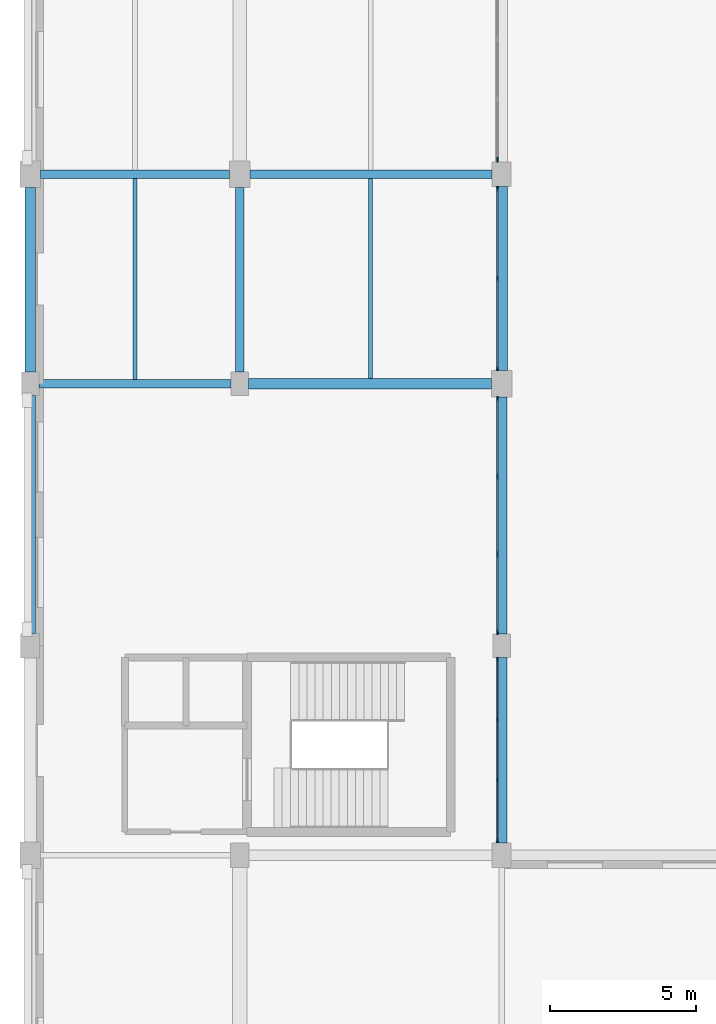
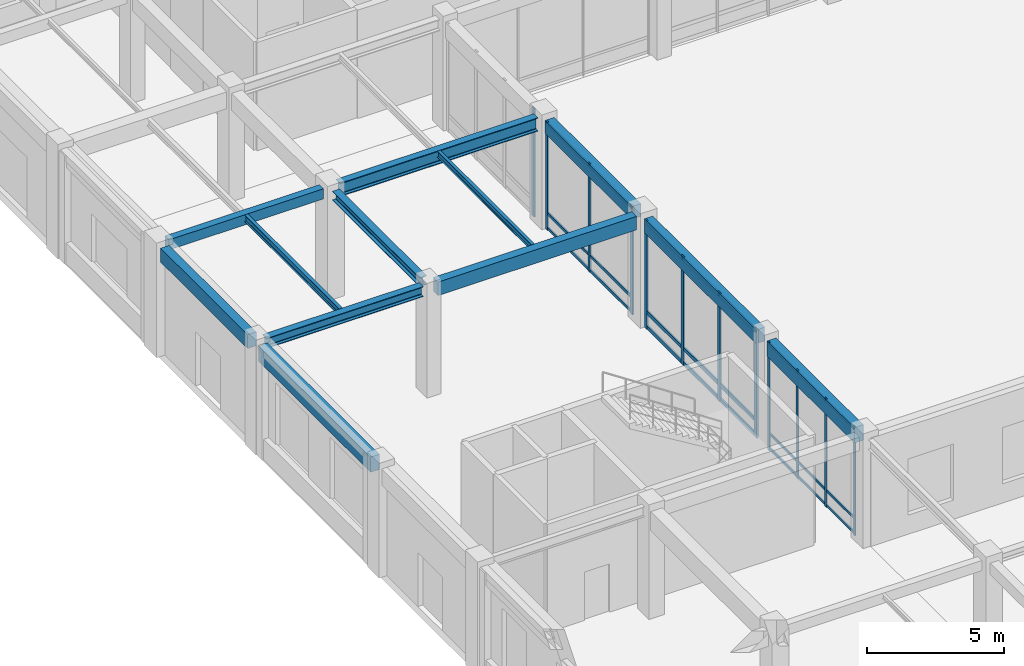
# One storey, part 23 of 64: 36 members, 12 beams, 4 elements without a shape of their own.
"""IFC4 building model written with IfcOpenShell, lengths in metres."""

import ifcopenshell
import ifcopenshell.guid

model = None  # the IFC model being written
_history = None  # IfcOwnerHistory: only IFC2X3 demands one
_inside = {}  # id of a spatial element -> (the spatial element, [elements in it])
_under = {}  # id of a project, library or spatial element -> (it, [spatial elements below it])
_declared = {}  # id of a project -> (the project, [libraries it declares])
_typed = {}  # id of a type object -> (the type object, [elements of that type])
_made_of = {}  # id of a material, layer set ... -> (it, [elements and type objects made of it])


def new_model(schema):
    """Start an empty IFC model of exactly this schema.

    Asked for "IFC4X3", IfcOpenShell would pick the latest addendum, in which some entities
    have other attributes; the version numbers below select the first issue.
    IFC2X3 requires an IfcOwnerHistory on every rooted entity: one is made here for all.
    """
    global model, _history
    if schema == "IFC4X3":
        model = ifcopenshell.file(schema_version=(4, 3, 0, 0))
    else:
        model = ifcopenshell.file(schema=schema)
    _inside.clear()
    _under.clear()
    _declared.clear()
    _typed.clear()
    _made_of.clear()
    _history = None
    if model.schema == "IFC2X3":
        org = make("IfcOrganization", Name="unknown")
        user = make(
            "IfcPersonAndOrganization",
            ThePerson=make("IfcPerson", FamilyName="unknown"),
            TheOrganization=org,
        )
        app = make(
            "IfcApplication",
            ApplicationDeveloper=org,
            Version="unknown",
            ApplicationFullName="unknown",
            ApplicationIdentifier="unknown",
        )
        _history = make(
            "IfcOwnerHistory",
            OwningUser=user,
            OwningApplication=app,
            ChangeAction="ADDED",
            CreationDate=0,
        )
    return model


def make(cls, **values):
    """One entity of the class cls with the attributes given. An attribute that is None is left unset."""
    return model.create_entity(
        cls, **{name: value for name, value in values.items() if value is not None}
    )


def rooted(cls, **values):
    """An entity with a GlobalId (a new one), such as an element, a storey or a relation."""
    return make(cls, GlobalId=ifcopenshell.guid.new(), OwnerHistory=_history, **values)


def si_unit(unit_type, name, prefix=None):
    """IfcSIUnit, for example si_unit("LENGTHUNIT", "METRE", prefix="MILLI")."""
    return make("IfcSIUnit", UnitType=unit_type, Prefix=prefix, Name=name)


def assignment(units):
    """IfcUnitAssignment: the units of a project."""
    return None if units is None else make("IfcUnitAssignment", Units=units)


def point(xyz):
    """IfcCartesianPoint."""
    return None if xyz is None else make("IfcCartesianPoint", Coordinates=xyz)


def direction(xyz):
    """IfcDirection."""
    return None if xyz is None else make("IfcDirection", DirectionRatios=xyz)


def frame(location, z_axis=None, x_axis=None):
    """IfcAxis2Placement3D, a coordinate frame: its origin and axes. An axis left out is left unset."""
    return make(
        "IfcAxis2Placement3D",
        Location=point(location),
        Axis=direction(z_axis),
        RefDirection=direction(x_axis),
    )


def frame_2d(location, x_axis=None):
    """IfcAxis2Placement2D, a coordinate frame in the plane: its origin and x axis."""
    return make(
        "IfcAxis2Placement2D", Location=point(location), RefDirection=direction(x_axis)
    )


def origin():
    """The frame at (0, 0, 0) with its axes left unset."""
    return frame((0.0, 0.0, 0.0))


def origin_2d():
    """The frame at (0, 0) in the plane with its x axis left unset."""
    return frame_2d((0.0, 0.0))


def place(relative_to, where):
    """IfcLocalPlacement: puts the frame where relative to a parent placement (None: the world)."""
    return make(
        "IfcLocalPlacement", PlacementRelTo=relative_to, RelativePlacement=where
    )


def context(
    kind, dimensions, precision=None, world=None, true_north=None, identifier=None
):
    """IfcGeometricRepresentationContext, for example the 3D "Model" context."""
    return make(
        "IfcGeometricRepresentationContext",
        ContextIdentifier=identifier,
        ContextType=kind,
        CoordinateSpaceDimension=dimensions,
        Precision=precision,
        WorldCoordinateSystem=world,
        TrueNorth=true_north,
    )


def subcontext(parent, identifier, kind, view, scale=None):
    """IfcGeometricRepresentationSubContext, for example "Body" below "Model"."""
    return make(
        "IfcGeometricRepresentationSubContext",
        ContextIdentifier=identifier,
        ContextType=kind,
        ParentContext=parent,
        TargetScale=scale,
        TargetView=view,
    )


def project(units=None, contexts=None):
    """IfcProject with its units and contexts."""
    return rooted(
        "IfcProject",
        Name="project",
        RepresentationContexts=contexts,
        UnitsInContext=assignment(units),
    )


def spatial(cls, under=None, at=None, **own):
    """A site, building, storey or space (cls), placed at a placement, below another one or the project."""
    s = rooted(cls, ObjectPlacement=at, **own)
    if under is not None:
        _under.setdefault(under.id(), (under, []))[1].append(s)
    return s


def profile(cls, at=None, kind="AREA", **sizes):
    """A parametric profile (cls). Its sizes go by their IFC names, for example OverallWidth=200.0."""
    return make(cls, ProfileType=kind, Position=at, **sizes)


def rectangle(**sizes):
    """IfcRectangleProfileDef."""
    return profile("IfcRectangleProfileDef", **sizes)


def i_section(**sizes):
    """IfcIShapeProfileDef."""
    return profile("IfcIShapeProfileDef", **sizes)


def extrude(swept, where, along, depth):
    """IfcExtrudedAreaSolid: the profile swept, set in the frame where, extruded along a direction by depth."""
    return make(
        "IfcExtrudedAreaSolid",
        SweptArea=swept,
        Position=where,
        ExtrudedDirection=direction(along),
        Depth=depth,
    )


def shape(context_of_items, identifier, shape_type, items):
    """IfcShapeRepresentation: the items that make up one representation, for example the "Body"."""
    return make(
        "IfcShapeRepresentation",
        ContextOfItems=context_of_items,
        RepresentationIdentifier=identifier,
        RepresentationType=shape_type,
        Items=items,
    )


def material(Name=None, Category=None):
    """IfcMaterial."""
    return make("IfcMaterial", Name=Name, Category=Category)


def material_profile(
    of_material, cross_section, Name=None, Category=None, Priority=None
):
    """IfcMaterialProfile: a cross section and its material."""
    return make(
        "IfcMaterialProfile",
        Name=Name,
        Material=of_material,
        Profile=cross_section,
        Priority=Priority,
        Category=Category,
    )


def profile_set(profiles, Name=None, composite=None):
    """IfcMaterialProfileSet."""
    return make(
        "IfcMaterialProfileSet",
        Name=Name,
        MaterialProfiles=profiles,
        CompositeProfile=composite,
    )


def made_of(thing, what):
    """Note that an element or type object is made of a material, layer set ...; save() writes the relation."""
    if what is not None:
        _made_of.setdefault(what.id(), (what, []))[1].append(thing)
    return thing


def type_object(cls, material=None, **own):
    """A type object (cls), such as IfcWallType, which elements share."""
    return made_of(rooted(cls, **own), material)


def element(
    cls,
    number,
    at=None,
    inside=None,
    cuts=None,
    type_object=None,
    material=None,
    context=None,
    identifier="Body",
    shape_type=None,
    held_by="IfcProductDefinitionShape",
    body=None,
    shapes=None,
    **own,
):
    """One element of the class cls, such as IfcWall. Its Tag is "e" and its number.

    at: its placement. inside: the storey or other place that contains it. cuts: it is an
    opening in that element (IfcRelVoidsElement). A single representation is given by context,
    identifier, shape_type and body (its items); several are given by shapes. held_by: the class
    of the entity that holds the representations. save() writes the other relations.
    """
    e = rooted(cls, Tag="e%d" % number, ObjectPlacement=at, **own)
    if body is not None:
        shapes = [shape(context, identifier, shape_type, body)]
    if shapes is not None:
        e.Representation = make(held_by, Representations=shapes)
    if inside is not None:
        _inside.setdefault(inside.id(), (inside, []))[1].append(e)
    if cuts is not None:
        rooted(
            "IfcRelVoidsElement", RelatingBuildingElement=cuts, RelatedOpeningElement=e
        )
    if type_object is not None:
        _typed.setdefault(type_object.id(), (type_object, []))[1].append(e)
    return made_of(e, material)


def aggregate(whole, parts):
    """IfcRelAggregates: a whole, such as a stair, and the parts it consists of."""
    return rooted("IfcRelAggregates", RelatingObject=whole, RelatedObjects=parts)


def save(model, path):
    """Write the relations noted so far, then the file.

    IfcRelAggregates (storeys below a building ...), IfcRelContainedInSpatialStructure (elements
    in a storey), IfcRelDefinesByType, IfcRelAssociatesMaterial and IfcRelDeclares: one each for
    every whole, place, type object, material and project.
    """
    for whole, parts in _under.values():
        aggregate(whole, parts)
    for where, things in _inside.values():
        rooted(
            "IfcRelContainedInSpatialStructure",
            RelatedElements=things,
            RelatingStructure=where,
        )
    for kind, things in _typed.values():
        rooted("IfcRelDefinesByType", RelatedObjects=things, RelatingType=kind)
    for what, things in _made_of.values():
        rooted("IfcRelAssociatesMaterial", RelatedObjects=things, RelatingMaterial=what)
    for by, libraries in _declared.values():
        rooted("IfcRelDeclares", RelatingContext=by, RelatedDefinitions=libraries)
    model.write(path)


model = new_model("IFC4")

# Units and contexts
model_context = context("Model", 3, precision=1e-05, world=origin(), true_north=direction((0.0, 1.0)))
body_context = subcontext(model_context, "Body", "Model", "MODEL_VIEW")
ifc_project = project(units=[si_unit("LENGTHUNIT", "METRE"), si_unit("AREAUNIT", "SQUARE_METRE"), si_unit("VOLUMEUNIT", "CUBIC_METRE"), si_unit("PLANEANGLEUNIT", "RADIAN"), si_unit("MASSUNIT", "GRAM", prefix="KILO")], contexts=[model_context])

# Site, building, storey
site_placement = place(None, origin())
site = spatial("IfcSite", under=ifc_project, at=site_placement, CompositionType="ELEMENT")
building_placement = place(site_placement, origin())
building = spatial("IfcBuilding", under=site, at=building_placement, Name="Clarverna Civic Hall", CompositionType="ELEMENT")
storey_placement = place(building_placement, origin())
storey = spatial("IfcBuildingStorey", under=building, at=storey_placement, Name="L00", CompositionType="ELEMENT", Elevation=0.0)

# Beams
ifc_material_1 = material(Name="Concrete C35/45", Category="concrete")
ifc_material_profile_1 = material_profile(ifc_material_1, rectangle(XDim=0.300048828125, YDim=0.449951171875, at=origin_2d()), Name="RC 300x450")
ifc_profile_set_1 = profile_set([ifc_material_profile_1], Name="Concrete C35/45")
beam_type_1 = type_object("IfcBeamType", Name="B-RC18", PredefinedType="BEAM", material=ifc_profile_set_1)
beam_1_placement = place(storey_placement, frame((0.35009765625, 95.0, 4.594970703125), z_axis=(1.0, 0.0, 0.0), x_axis=(0.0, 1.0, 0.0)))
element("IfcBeam", 1, at=beam_1_placement, inside=storey, type_object=beam_type_1, Name="B-RC18-017", PredefinedType="BEAM", context=body_context, shape_type="SweptSolid", body=[
    extrude(rectangle(XDim=0.300048828125, YDim=0.449951171875, at=origin_2d()), origin(), (0.0, 0.0, 1.0), 6.5),
])
ifc_material_profile_2 = material_profile(ifc_material_1, rectangle(XDim=0.35009765625, YDim=0.60009765625, at=origin_2d()), Name="RC 350x600")
ifc_profile_set_2 = profile_set([ifc_material_profile_2], Name="Concrete C35/45")
beam_type_2 = type_object("IfcBeamType", Name="B-RC8", PredefinedType="BEAM", material=ifc_profile_set_2)
beam_2_placement = place(storey_placement, frame((7.5, 87.800048828125, 4.52001953125), z_axis=(1.0, 0.0, 0.0), x_axis=(0.0, 1.0, 0.0)))
element("IfcBeam", 2, at=beam_2_placement, inside=storey, type_object=beam_type_2, Name="B-RC8-018", PredefinedType="BEAM", context=body_context, shape_type="SweptSolid", body=[
    extrude(rectangle(XDim=0.35009765625, YDim=0.60009765625, at=origin_2d()), origin(), (0.0, 0.0, 1.0), 8.35009765625),
])
ifc_material_profile_3 = material_profile(ifc_material_1, rectangle(XDim=0.3798828125, YDim=0.679931640625, at=origin_2d()), Name="RC 380x680")
ifc_profile_set_3 = profile_set([ifc_material_profile_3], Name="Concrete C35/45")
beam_type_3 = type_object("IfcBeamType", Name="B-SP2", PredefinedType="SPANDREL", material=ifc_profile_set_3)
beam_3_placement = place(storey_placement, frame((0.0, 79.22509765625, 4.47998046875), z_axis=(0.0, 1.0, 0.0), x_axis=(-1.0, 0.0, 0.0)))
element("IfcBeam", 3, at=beam_3_placement, inside=storey, type_object=beam_type_3, Name="B-SP2-044", PredefinedType="SPANDREL", context=body_context, shape_type="SweptSolid", body=[
    extrude(rectangle(XDim=0.3798828125, YDim=0.679931640625, at=origin_2d()), origin(), (0.0, 0.0, 1.0), 8.1748046875),
])
beam_4_placement = place(storey_placement, frame((16.199951171875, 72.02490234375, 4.47998046875), z_axis=(0.0, 1.0, 0.0), x_axis=(-1.0, 0.0, 0.0)))
element("IfcBeam", 4, at=beam_4_placement, inside=storey, type_object=beam_type_3, Name="B-SP2-046", PredefinedType="SPANDREL", context=body_context, shape_type="SweptSolid", body=[
    extrude(rectangle(XDim=0.3798828125, YDim=0.679931640625, at=origin_2d()), origin(), (0.0, 0.0, 1.0), 6.375),
])
ifc_material_profile_4 = material_profile(ifc_material_1, rectangle(XDim=0.360107421875, YDim=0.6201171875, at=origin_2d()), Name="RC 360x620")
ifc_profile_set_4 = profile_set([ifc_material_profile_4], Name="Concrete C35/45")
beam_type_4 = type_object("IfcBeamType", Name="B-SP3", PredefinedType="SPANDREL", material=ifc_profile_set_4)
beam_5_placement = place(storey_placement, frame((0.0, 88.199951171875, 4.510009765625), z_axis=(0.0, 1.0, 0.0), x_axis=(-1.0, 0.0, 0.0)))
element("IfcBeam", 5, at=beam_5_placement, inside=storey, type_object=beam_type_4, Name="B-SP3-046", PredefinedType="SPANDREL", context=body_context, shape_type="SweptSolid", body=[
    extrude(rectangle(XDim=0.360107421875, YDim=0.6201171875, at=origin_2d()), origin(), (0.0, 0.0, 1.0), 6.35009765625),
])
beam_6_placement = place(storey_placement, frame((16.199951171875, 79.199951171875, 4.510009765625), z_axis=(0.0, 1.0, 0.0), x_axis=(-1.0, 0.0, 0.0)))
element("IfcBeam", 6, at=beam_6_placement, inside=storey, type_object=beam_type_4, Name="B-SP3-047", PredefinedType="SPANDREL", context=body_context, shape_type="SweptSolid", body=[
    extrude(rectangle(XDim=0.360107421875, YDim=0.6201171875, at=origin_2d()), origin(), (0.0, 0.0, 1.0), 8.150146484375),
])
ifc_material_profile_5 = material_profile(ifc_material_1, rectangle(XDim=0.39990234375, YDim=0.56005859375, at=origin_2d()), Name="RC 400x560")
ifc_profile_set_5 = profile_set([ifc_material_profile_5], Name="Concrete C35/45")
beam_type_5 = type_object("IfcBeamType", Name="B-SP4", PredefinedType="SPANDREL", material=ifc_profile_set_5)
beam_7_placement = place(storey_placement, frame((16.199951171875, 88.25, 4.5400390625), z_axis=(0.0, 1.0, 0.0), x_axis=(-1.0, 0.0, 0.0)))
element("IfcBeam", 7, at=beam_7_placement, inside=storey, type_object=beam_type_5, Name="B-SP4-044", PredefinedType="SPANDREL", context=body_context, shape_type="SweptSolid", body=[
    extrude(rectangle(XDim=0.39990234375, YDim=0.56005859375, at=origin_2d()), origin(), (0.0, 0.0, 1.0), 6.324951171875),
])
ifc_material_2 = material(Name="Steel S355", Category="steel")
ifc_material_profile_6 = material_profile(ifc_material_2, i_section(OverallWidth=0.300048828125, OverallDepth=0.60009765625, WebThickness=0.015380859375, FlangeThickness=0.030029296875, FilletRadius=0.027099609375, at=origin_2d()), Name="HEB 600")
ifc_profile_set_6 = profile_set([ifc_material_profile_6], Name="Steel S355")
beam_type_6 = type_object("IfcBeamType", Name="B-ST1", PredefinedType="BEAM", material=ifc_profile_set_6)
beam_8_placement = place(storey_placement, frame((7.550048828125, 95.0, 4.52001953125), z_axis=(1.0, 0.0, 0.0), x_axis=(0.0, 1.0, 0.0)))
element("IfcBeam", 8, at=beam_8_placement, inside=storey, type_object=beam_type_6, Name="B-ST1-002", PredefinedType="BEAM", context=body_context, shape_type="SweptSolid", body=[
    extrude(i_section(OverallWidth=0.300048828125, OverallDepth=0.60009765625, WebThickness=0.015380859375, FlangeThickness=0.030029296875, FilletRadius=0.027099609375, at=origin_2d()), origin(), (0.0, 0.0, 1.0), 8.324951171875),
])
ifc_material_profile_7 = material_profile(ifc_material_2, i_section(OverallWidth=0.300048828125, OverallDepth=0.449951171875, WebThickness=0.013916015625, FlangeThickness=0.02587890625, FilletRadius=0.027099609375, at=origin_2d()), Name="HEB 450")
ifc_profile_set_7 = profile_set([ifc_material_profile_7], Name="Steel S355")
beam_type_7 = type_object("IfcBeamType", Name="B-ST3", PredefinedType="BEAM", material=ifc_profile_set_7)
beam_9_placement = place(storey_placement, frame((0.300048828125, 87.800048828125, 4.594970703125), z_axis=(1.0, 0.0, 0.0), x_axis=(0.0, 1.0, 0.0)))
element("IfcBeam", 9, at=beam_9_placement, inside=storey, type_object=beam_type_7, Name="B-ST3-002", PredefinedType="BEAM", context=body_context, shape_type="SweptSolid", body=[
    extrude(i_section(OverallWidth=0.300048828125, OverallDepth=0.449951171875, WebThickness=0.013916015625, FlangeThickness=0.02587890625, FilletRadius=0.027099609375, at=origin_2d()), origin(), (0.0, 0.0, 1.0), 6.599853515625),
])
ifc_material_profile_8 = material_profile(ifc_material_2, i_section(OverallWidth=0.300048828125, OverallDepth=0.39990234375, WebThickness=0.013427734375, FlangeThickness=0.02392578125, FilletRadius=0.027099609375, at=origin_2d()), Name="HEB 400")
ifc_profile_set_8 = profile_set([ifc_material_profile_8], Name="Steel S355")
beam_type_8 = type_object("IfcBeamType", Name="B-ST4", PredefinedType="BEAM", material=ifc_profile_set_8)
beam_10_placement = place(storey_placement, frame((7.199951171875, 88.199951171875, 4.6201171875), z_axis=(0.0, 1.0, 0.0), x_axis=(-1.0, 0.0, 0.0)))
element("IfcBeam", 10, at=beam_10_placement, inside=storey, type_object=beam_type_8, Name="B-ST4-002", PredefinedType="BEAM", context=body_context, shape_type="SweptSolid", body=[
    extrude(i_section(OverallWidth=0.300048828125, OverallDepth=0.39990234375, WebThickness=0.013427734375, FlangeThickness=0.02392578125, FilletRadius=0.027099609375, at=origin_2d()), origin(), (0.0, 0.0, 1.0), 6.35009765625),
])

# Curtain wall, member
ifc_material_3 = material(Name="Anodised Bronze Architectural Aluminium", Category="aluminium")
curtain_wall_type = type_object("IfcCurtainWallType", Name="CW-04", PredefinedType="USERDEFINED", material=ifc_material_3)
curtain_wall_1_placement = place(storey_placement, origin())
curtain_wall_1 = element("IfcCurtainWall", 11, at=curtain_wall_1_placement, inside=storey, type_object=curtain_wall_type, Name="CW-04-006", ObjectType="UNITISED CURTAIN WALL", PredefinedType="USERDEFINED")
ifc_material_profile_9 = material_profile(ifc_material_3, rectangle(XDim=0.06005859375, YDim=0.179931640625, at=origin_2d()), Name="BRONZE 60x180")
ifc_profile_set_9 = profile_set([ifc_material_profile_9], Name="Anodised Bronze Architectural Aluminium")
member_type_1 = type_object("IfcMemberType", Name="CWM-01", PredefinedType="MULLION", material=ifc_profile_set_9)
member_1_placement = place(storey_placement, frame((16.06005859375, 95.498046875, 0.0), z_axis=(0.0, 0.0, 1.0), x_axis=(1.0, 0.0, 0.0)))
member_1 = element("IfcMember", 12, at=member_1_placement, type_object=member_type_1, Name="CWM-01-029", PredefinedType="MULLION", context=body_context, shape_type="SweptSolid", body=[
    extrude(rectangle(XDim=0.06005859375, YDim=0.179931640625, at=origin_2d()), origin(), (0.0, 0.0, 1.0), 4.820068359375),
])
aggregate(curtain_wall_1, [member_1])

# Curtain wall, members
curtain_wall_2_placement = place(storey_placement, origin())
curtain_wall_2 = element("IfcCurtainWall", 13, at=curtain_wall_2_placement, inside=storey, type_object=curtain_wall_type, Name="CW-04-007", ObjectType="UNITISED CURTAIN WALL", PredefinedType="USERDEFINED")
ifc_material_profile_10 = material_profile(ifc_material_3, rectangle(XDim=0.06005859375, YDim=0.159912109375, at=origin_2d()), Name="BRONZE 60x160")
ifc_profile_set_10 = profile_set([ifc_material_profile_10], Name="Anodised Bronze Architectural Aluminium")
member_type_2 = type_object("IfcMemberType", Name="CWM-02", PredefinedType="MULLION", material=ifc_profile_set_10)
member_2_placement = place(storey_placement, frame((16.06005859375, 94.501953125, 0.0), z_axis=(0.0, 0.0, 1.0), x_axis=(1.0, 0.0, 0.0)))
member_2 = element("IfcMember", 14, at=member_2_placement, type_object=member_type_2, Name="CWM-02-026", PredefinedType="MULLION", context=body_context, shape_type="SweptSolid", body=[
    extrude(rectangle(XDim=0.06005859375, YDim=0.159912109375, at=origin_2d()), origin(), (0.0, 0.0, 1.0), 4.820068359375),
])
member_3_placement = place(storey_placement, frame((16.06005859375, 91.41259765625, 0.0), z_axis=(0.0, 0.0, 1.0), x_axis=(1.0, 0.0, 0.0)))
member_3 = element("IfcMember", 15, at=member_3_placement, type_object=member_type_2, Name="CWM-02-027", PredefinedType="MULLION", context=body_context, shape_type="SweptSolid", body=[
    extrude(rectangle(XDim=0.06005859375, YDim=0.159912109375, at=origin_2d()), origin(), (0.0, 0.0, 1.0), 4.820068359375),
])
member_4_placement = place(storey_placement, frame((16.06005859375, 88.322998046875, 0.0), z_axis=(0.0, 0.0, 1.0), x_axis=(1.0, 0.0, 0.0)))
member_4 = element("IfcMember", 16, at=member_4_placement, type_object=member_type_2, Name="CWM-02-028", PredefinedType="MULLION", context=body_context, shape_type="SweptSolid", body=[
    extrude(rectangle(XDim=0.06005859375, YDim=0.159912109375, at=origin_2d()), origin(), (0.0, 0.0, 1.0), 4.820068359375),
])

curtain_wall_3_placement = place(storey_placement, origin())
curtain_wall_3 = element("IfcCurtainWall", 17, at=curtain_wall_3_placement, inside=storey, type_object=curtain_wall_type, Name="CW-04-008", ObjectType="UNITISED CURTAIN WALL", PredefinedType="USERDEFINED")
ifc_material_profile_11 = material_profile(ifc_material_3, rectangle(XDim=0.06494140625, YDim=0.199951171875, at=origin_2d()), Name="BRONZE 65x200")
ifc_profile_set_11 = profile_set([ifc_material_profile_11], Name="Anodised Bronze Architectural Aluminium")
member_type_3 = type_object("IfcMemberType", Name="CWM-03", PredefinedType="MULLION", material=ifc_profile_set_11)
member_5_placement = place(storey_placement, frame((16.06005859375, 87.277099609375, 0.0), z_axis=(0.0, 0.0, 1.0), x_axis=(1.0, 0.0, 0.0)))
member_5 = element("IfcMember", 18, at=member_5_placement, type_object=member_type_3, Name="CWM-03-026", PredefinedType="MULLION", context=body_context, shape_type="SweptSolid", body=[
    extrude(rectangle(XDim=0.06494140625, YDim=0.199951171875, at=origin_2d()), origin(), (0.0, 0.0, 1.0), 4.820068359375),
])
member_6_placement = place(storey_placement, frame((16.06005859375, 84.60888671875, 0.0), z_axis=(0.0, 0.0, 1.0), x_axis=(1.0, 0.0, 0.0)))
member_6 = element("IfcMember", 19, at=member_6_placement, type_object=member_type_3, Name="CWM-03-027", PredefinedType="MULLION", context=body_context, shape_type="SweptSolid", body=[
    extrude(rectangle(XDim=0.06494140625, YDim=0.199951171875, at=origin_2d()), origin(), (0.0, 0.0, 1.0), 4.820068359375),
])
member_7_placement = place(storey_placement, frame((16.06005859375, 81.94091796875, 0.0), z_axis=(0.0, 0.0, 1.0), x_axis=(1.0, 0.0, 0.0)))
member_7 = element("IfcMember", 20, at=member_7_placement, type_object=member_type_3, Name="CWM-03-028", PredefinedType="MULLION", context=body_context, shape_type="SweptSolid", body=[
    extrude(rectangle(XDim=0.06494140625, YDim=0.199951171875, at=origin_2d()), origin(), (0.0, 0.0, 1.0), 4.820068359375),
])
member_8_placement = place(storey_placement, frame((16.06005859375, 79.27294921875, 0.0), z_axis=(0.0, 0.0, 1.0), x_axis=(1.0, 0.0, 0.0)))
member_8 = element("IfcMember", 21, at=member_8_placement, type_object=member_type_3, Name="CWM-03-029", PredefinedType="MULLION", context=body_context, shape_type="SweptSolid", body=[
    extrude(rectangle(XDim=0.06494140625, YDim=0.199951171875, at=origin_2d()), origin(), (0.0, 0.0, 1.0), 4.820068359375),
])

curtain_wall_4_placement = place(storey_placement, origin())
curtain_wall_4 = element("IfcCurtainWall", 22, at=curtain_wall_4_placement, inside=storey, type_object=curtain_wall_type, Name="CW-04-009", ObjectType="UNITISED CURTAIN WALL", PredefinedType="USERDEFINED")
ifc_material_profile_12 = material_profile(ifc_material_3, rectangle(XDim=0.054931640625, YDim=0.139892578125, at=origin_2d()), Name="BRONZE 55x140")
ifc_profile_set_12 = profile_set([ifc_material_profile_12], Name="Anodised Bronze Architectural Aluminium")
member_type_4 = type_object("IfcMemberType", Name="CWM-04", PredefinedType="MULLION", material=ifc_profile_set_12)
member_9_placement = place(storey_placement, frame((16.06005859375, 78.326904296875, 0.0), z_axis=(0.0, 0.0, 1.0), x_axis=(1.0, 0.0, 0.0)))
member_9 = element("IfcMember", 23, at=member_9_placement, type_object=member_type_4, Name="CWM-04-027", PredefinedType="MULLION", context=body_context, shape_type="SweptSolid", body=[
    extrude(rectangle(XDim=0.054931640625, YDim=0.139892578125, at=origin_2d()), origin(), (0.0, 0.0, 1.0), 4.820068359375),
])
member_10_placement = place(storey_placement, frame((16.06005859375, 76.250732421875, 0.0), z_axis=(0.0, 0.0, 1.0), x_axis=(1.0, 0.0, 0.0)))
member_10 = element("IfcMember", 24, at=member_10_placement, type_object=member_type_4, Name="CWM-04-028", PredefinedType="MULLION", context=body_context, shape_type="SweptSolid", body=[
    extrude(rectangle(XDim=0.054931640625, YDim=0.139892578125, at=origin_2d()), origin(), (0.0, 0.0, 1.0), 4.820068359375),
])
member_11_placement = place(storey_placement, frame((16.06005859375, 74.17431640625, 0.0), z_axis=(0.0, 0.0, 1.0), x_axis=(1.0, 0.0, 0.0)))
member_11 = element("IfcMember", 25, at=member_11_placement, type_object=member_type_4, Name="CWM-04-029", PredefinedType="MULLION", context=body_context, shape_type="SweptSolid", body=[
    extrude(rectangle(XDim=0.054931640625, YDim=0.139892578125, at=origin_2d()), origin(), (0.0, 0.0, 1.0), 4.820068359375),
])
member_12_placement = place(storey_placement, frame((16.06005859375, 72.097900390625, 0.0), z_axis=(0.0, 0.0, 1.0), x_axis=(1.0, 0.0, 0.0)))
member_12 = element("IfcMember", 26, at=member_12_placement, type_object=member_type_4, Name="CWM-04-030", PredefinedType="MULLION", context=body_context, shape_type="SweptSolid", body=[
    extrude(rectangle(XDim=0.054931640625, YDim=0.139892578125, at=origin_2d()), origin(), (0.0, 0.0, 1.0), 4.820068359375),
])

# Member
ifc_material_profile_13 = material_profile(ifc_material_3, rectangle(XDim=0.06005859375, YDim=0.1298828125, at=origin_2d()), Name="BRONZE 60x130")
ifc_profile_set_13 = profile_set([ifc_material_profile_13], Name="Anodised Bronze Architectural Aluminium")
member_type_5 = type_object("IfcMemberType", Name="CWT-02", PredefinedType="USERDEFINED", material=ifc_profile_set_13)
member_13_placement = place(storey_placement, frame((16.06005859375, 94.487060546875, 0.094970703125), z_axis=(0.0, -1.0, 0.0), x_axis=(1.0, 0.0, 0.0)))
member_13 = element("IfcMember", 27, at=member_13_placement, type_object=member_type_5, Name="CWT-02-052", ObjectType="TRANSOM", PredefinedType="USERDEFINED", context=body_context, shape_type="SweptSolid", body=[
    extrude(rectangle(XDim=0.06005859375, YDim=0.1298828125, at=origin_2d()), origin(), (0.0, 0.0, 1.0), 3.0595703125),
])

member_14_placement = place(storey_placement, frame((16.06005859375, 94.487060546875, 0.75), z_axis=(0.0, -1.0, 0.0), x_axis=(1.0, 0.0, 0.0)))
member_14 = element("IfcMember", 28, at=member_14_placement, type_object=member_type_5, Name="CWT-02-053", ObjectType="TRANSOM", PredefinedType="USERDEFINED", context=body_context, shape_type="SweptSolid", body=[
    extrude(rectangle(XDim=0.06005859375, YDim=0.1298828125, at=origin_2d()), origin(), (0.0, 0.0, 1.0), 3.0595703125),
])

member_15_placement = place(storey_placement, frame((16.06005859375, 94.487060546875, 4.72509765625), z_axis=(0.0, -1.0, 0.0), x_axis=(1.0, 0.0, 0.0)))
member_15 = element("IfcMember", 29, at=member_15_placement, type_object=member_type_5, Name="CWT-02-054", ObjectType="TRANSOM", PredefinedType="USERDEFINED", context=body_context, shape_type="SweptSolid", body=[
    extrude(rectangle(XDim=0.06005859375, YDim=0.1298828125, at=origin_2d()), origin(), (0.0, 0.0, 1.0), 3.0595703125),
])

member_16_placement = place(storey_placement, frame((16.06005859375, 91.3974609375, 0.094970703125), z_axis=(0.0, -1.0, 0.0), x_axis=(1.0, 0.0, 0.0)))
member_16 = element("IfcMember", 30, at=member_16_placement, type_object=member_type_5, Name="CWT-02-055", ObjectType="TRANSOM", PredefinedType="USERDEFINED", context=body_context, shape_type="SweptSolid", body=[
    extrude(rectangle(XDim=0.06005859375, YDim=0.1298828125, at=origin_2d()), origin(), (0.0, 0.0, 1.0), 3.0595703125),
])

member_17_placement = place(storey_placement, frame((16.06005859375, 91.3974609375, 0.75), z_axis=(0.0, -1.0, 0.0), x_axis=(1.0, 0.0, 0.0)))
member_17 = element("IfcMember", 31, at=member_17_placement, type_object=member_type_5, Name="CWT-02-056", ObjectType="TRANSOM", PredefinedType="USERDEFINED", context=body_context, shape_type="SweptSolid", body=[
    extrude(rectangle(XDim=0.06005859375, YDim=0.1298828125, at=origin_2d()), origin(), (0.0, 0.0, 1.0), 3.0595703125),
])

member_18_placement = place(storey_placement, frame((16.06005859375, 91.3974609375, 4.72509765625), z_axis=(0.0, -1.0, 0.0), x_axis=(1.0, 0.0, 0.0)))
member_18 = element("IfcMember", 32, at=member_18_placement, type_object=member_type_5, Name="CWT-02-057", ObjectType="TRANSOM", PredefinedType="USERDEFINED", context=body_context, shape_type="SweptSolid", body=[
    extrude(rectangle(XDim=0.06005859375, YDim=0.1298828125, at=origin_2d()), origin(), (0.0, 0.0, 1.0), 3.0595703125),
])

aggregate(curtain_wall_2, [member_2, member_3, member_4, member_13, member_14, member_15, member_16, member_17, member_18])

ifc_material_profile_14 = material_profile(ifc_material_3, rectangle(XDim=0.06494140625, YDim=0.169921875, at=origin_2d()), Name="BRONZE 65x170")
ifc_profile_set_14 = profile_set([ifc_material_profile_14], Name="Anodised Bronze Architectural Aluminium")
member_type_6 = type_object("IfcMemberType", Name="CWT-03", PredefinedType="USERDEFINED", material=ifc_profile_set_14)
member_19_placement = place(storey_placement, frame((16.06005859375, 87.261962890625, 0.094970703125), z_axis=(0.0, -1.0, 0.0), x_axis=(1.0, 0.0, 0.0)))
member_19 = element("IfcMember", 33, at=member_19_placement, type_object=member_type_6, Name="CWT-03-052", ObjectType="TRANSOM", PredefinedType="USERDEFINED", context=body_context, shape_type="SweptSolid", body=[
    extrude(rectangle(XDim=0.06494140625, YDim=0.169921875, at=origin_2d()), origin(), (0.0, 0.0, 1.0), 2.637939453125),
])

member_20_placement = place(storey_placement, frame((16.06005859375, 87.261962890625, 0.75), z_axis=(0.0, -1.0, 0.0), x_axis=(1.0, 0.0, 0.0)))
member_20 = element("IfcMember", 34, at=member_20_placement, type_object=member_type_6, Name="CWT-03-053", ObjectType="TRANSOM", PredefinedType="USERDEFINED", context=body_context, shape_type="SweptSolid", body=[
    extrude(rectangle(XDim=0.06494140625, YDim=0.169921875, at=origin_2d()), origin(), (0.0, 0.0, 1.0), 2.637939453125),
])

member_21_placement = place(storey_placement, frame((16.06005859375, 87.261962890625, 4.72509765625), z_axis=(0.0, -1.0, 0.0), x_axis=(1.0, 0.0, 0.0)))
member_21 = element("IfcMember", 35, at=member_21_placement, type_object=member_type_6, Name="CWT-03-054", ObjectType="TRANSOM", PredefinedType="USERDEFINED", context=body_context, shape_type="SweptSolid", body=[
    extrude(rectangle(XDim=0.06494140625, YDim=0.169921875, at=origin_2d()), origin(), (0.0, 0.0, 1.0), 2.637939453125),
])

member_22_placement = place(storey_placement, frame((16.06005859375, 84.593994140625, 0.094970703125), z_axis=(0.0, -1.0, 0.0), x_axis=(1.0, 0.0, 0.0)))
member_22 = element("IfcMember", 36, at=member_22_placement, type_object=member_type_6, Name="CWT-03-055", ObjectType="TRANSOM", PredefinedType="USERDEFINED", context=body_context, shape_type="SweptSolid", body=[
    extrude(rectangle(XDim=0.06494140625, YDim=0.169921875, at=origin_2d()), origin(), (0.0, 0.0, 1.0), 2.637939453125),
])

member_23_placement = place(storey_placement, frame((16.06005859375, 84.593994140625, 0.75), z_axis=(0.0, -1.0, 0.0), x_axis=(1.0, 0.0, 0.0)))
member_23 = element("IfcMember", 37, at=member_23_placement, type_object=member_type_6, Name="CWT-03-056", ObjectType="TRANSOM", PredefinedType="USERDEFINED", context=body_context, shape_type="SweptSolid", body=[
    extrude(rectangle(XDim=0.06494140625, YDim=0.169921875, at=origin_2d()), origin(), (0.0, 0.0, 1.0), 2.637939453125),
])

member_24_placement = place(storey_placement, frame((16.06005859375, 84.593994140625, 4.72509765625), z_axis=(0.0, -1.0, 0.0), x_axis=(1.0, 0.0, 0.0)))
member_24 = element("IfcMember", 38, at=member_24_placement, type_object=member_type_6, Name="CWT-03-057", ObjectType="TRANSOM", PredefinedType="USERDEFINED", context=body_context, shape_type="SweptSolid", body=[
    extrude(rectangle(XDim=0.06494140625, YDim=0.169921875, at=origin_2d()), origin(), (0.0, 0.0, 1.0), 2.637939453125),
])

member_25_placement = place(storey_placement, frame((16.06005859375, 81.926025390625, 0.094970703125), z_axis=(0.0, -1.0, 0.0), x_axis=(1.0, 0.0, 0.0)))
member_25 = element("IfcMember", 39, at=member_25_placement, type_object=member_type_6, Name="CWT-03-058", ObjectType="TRANSOM", PredefinedType="USERDEFINED", context=body_context, shape_type="SweptSolid", body=[
    extrude(rectangle(XDim=0.06494140625, YDim=0.169921875, at=origin_2d()), origin(), (0.0, 0.0, 1.0), 2.637939453125),
])

member_26_placement = place(storey_placement, frame((16.06005859375, 81.926025390625, 0.75), z_axis=(0.0, -1.0, 0.0), x_axis=(1.0, 0.0, 0.0)))
member_26 = element("IfcMember", 40, at=member_26_placement, type_object=member_type_6, Name="CWT-03-059", ObjectType="TRANSOM", PredefinedType="USERDEFINED", context=body_context, shape_type="SweptSolid", body=[
    extrude(rectangle(XDim=0.06494140625, YDim=0.169921875, at=origin_2d()), origin(), (0.0, 0.0, 1.0), 2.637939453125),
])

member_27_placement = place(storey_placement, frame((16.06005859375, 81.926025390625, 4.72509765625), z_axis=(0.0, -1.0, 0.0), x_axis=(1.0, 0.0, 0.0)))
member_27 = element("IfcMember", 41, at=member_27_placement, type_object=member_type_6, Name="CWT-03-060", ObjectType="TRANSOM", PredefinedType="USERDEFINED", context=body_context, shape_type="SweptSolid", body=[
    extrude(rectangle(XDim=0.06494140625, YDim=0.169921875, at=origin_2d()), origin(), (0.0, 0.0, 1.0), 2.637939453125),
])

aggregate(curtain_wall_3, [member_5, member_6, member_7, member_8, member_19, member_20, member_21, member_22, member_23, member_24, member_25, member_26, member_27])

ifc_material_profile_15 = material_profile(ifc_material_3, rectangle(XDim=0.054931640625, YDim=0.110107421875, at=origin_2d()), Name="BRONZE 55x110")
ifc_profile_set_15 = profile_set([ifc_material_profile_15], Name="Anodised Bronze Architectural Aluminium")
member_type_7 = type_object("IfcMemberType", Name="CWT-04", PredefinedType="USERDEFINED", material=ifc_profile_set_15)
member_28_placement = place(storey_placement, frame((16.06005859375, 78.31201171875, 0.094970703125), z_axis=(0.0, -1.0, 0.0), x_axis=(1.0, 0.0, 0.0)))
member_28 = element("IfcMember", 42, at=member_28_placement, type_object=member_type_7, Name="CWT-04-055", ObjectType="TRANSOM", PredefinedType="USERDEFINED", context=body_context, shape_type="SweptSolid", body=[
    extrude(rectangle(XDim=0.054931640625, YDim=0.110107421875, at=origin_2d()), origin(), (0.0, 0.0, 1.0), 2.04638671875),
])

member_29_placement = place(storey_placement, frame((16.06005859375, 78.31201171875, 0.75), z_axis=(0.0, -1.0, 0.0), x_axis=(1.0, 0.0, 0.0)))
member_29 = element("IfcMember", 43, at=member_29_placement, type_object=member_type_7, Name="CWT-04-056", ObjectType="TRANSOM", PredefinedType="USERDEFINED", context=body_context, shape_type="SweptSolid", body=[
    extrude(rectangle(XDim=0.054931640625, YDim=0.110107421875, at=origin_2d()), origin(), (0.0, 0.0, 1.0), 2.04638671875),
])

member_30_placement = place(storey_placement, frame((16.06005859375, 78.31201171875, 4.72509765625), z_axis=(0.0, -1.0, 0.0), x_axis=(1.0, 0.0, 0.0)))
member_30 = element("IfcMember", 44, at=member_30_placement, type_object=member_type_7, Name="CWT-04-057", ObjectType="TRANSOM", PredefinedType="USERDEFINED", context=body_context, shape_type="SweptSolid", body=[
    extrude(rectangle(XDim=0.054931640625, YDim=0.110107421875, at=origin_2d()), origin(), (0.0, 0.0, 1.0), 2.04638671875),
])

member_31_placement = place(storey_placement, frame((16.06005859375, 76.235595703125, 0.094970703125), z_axis=(0.0, -1.0, 0.0), x_axis=(1.0, 0.0, 0.0)))
member_31 = element("IfcMember", 45, at=member_31_placement, type_object=member_type_7, Name="CWT-04-058", ObjectType="TRANSOM", PredefinedType="USERDEFINED", context=body_context, shape_type="SweptSolid", body=[
    extrude(rectangle(XDim=0.054931640625, YDim=0.110107421875, at=origin_2d()), origin(), (0.0, 0.0, 1.0), 2.04638671875),
])

member_32_placement = place(storey_placement, frame((16.06005859375, 76.235595703125, 0.75), z_axis=(0.0, -1.0, 0.0), x_axis=(1.0, 0.0, 0.0)))
member_32 = element("IfcMember", 46, at=member_32_placement, type_object=member_type_7, Name="CWT-04-059", ObjectType="TRANSOM", PredefinedType="USERDEFINED", context=body_context, shape_type="SweptSolid", body=[
    extrude(rectangle(XDim=0.054931640625, YDim=0.110107421875, at=origin_2d()), origin(), (0.0, 0.0, 1.0), 2.04638671875),
])

member_33_placement = place(storey_placement, frame((16.06005859375, 76.235595703125, 4.72509765625), z_axis=(0.0, -1.0, 0.0), x_axis=(1.0, 0.0, 0.0)))
member_33 = element("IfcMember", 47, at=member_33_placement, type_object=member_type_7, Name="CWT-04-060", ObjectType="TRANSOM", PredefinedType="USERDEFINED", context=body_context, shape_type="SweptSolid", body=[
    extrude(rectangle(XDim=0.054931640625, YDim=0.110107421875, at=origin_2d()), origin(), (0.0, 0.0, 1.0), 2.04638671875),
])

member_34_placement = place(storey_placement, frame((16.06005859375, 74.1591796875, 0.094970703125), z_axis=(0.0, -1.0, 0.0), x_axis=(1.0, 0.0, 0.0)))
member_34 = element("IfcMember", 48, at=member_34_placement, type_object=member_type_7, Name="CWT-04-061", ObjectType="TRANSOM", PredefinedType="USERDEFINED", context=body_context, shape_type="SweptSolid", body=[
    extrude(rectangle(XDim=0.054931640625, YDim=0.110107421875, at=origin_2d()), origin(), (0.0, 0.0, 1.0), 2.046142578125),
])

member_35_placement = place(storey_placement, frame((16.06005859375, 74.1591796875, 0.75), z_axis=(0.0, -1.0, 0.0), x_axis=(1.0, 0.0, 0.0)))
member_35 = element("IfcMember", 49, at=member_35_placement, type_object=member_type_7, Name="CWT-04-062", ObjectType="TRANSOM", PredefinedType="USERDEFINED", context=body_context, shape_type="SweptSolid", body=[
    extrude(rectangle(XDim=0.054931640625, YDim=0.110107421875, at=origin_2d()), origin(), (0.0, 0.0, 1.0), 2.046142578125),
])

member_36_placement = place(storey_placement, frame((16.06005859375, 74.1591796875, 4.72509765625), z_axis=(0.0, -1.0, 0.0), x_axis=(1.0, 0.0, 0.0)))
member_36 = element("IfcMember", 50, at=member_36_placement, type_object=member_type_7, Name="CWT-04-063", ObjectType="TRANSOM", PredefinedType="USERDEFINED", context=body_context, shape_type="SweptSolid", body=[
    extrude(rectangle(XDim=0.054931640625, YDim=0.110107421875, at=origin_2d()), origin(), (0.0, 0.0, 1.0), 2.046142578125),
])

aggregate(curtain_wall_4, [member_9, member_10, member_11, member_12, member_28, member_29, member_30, member_31, member_32, member_33, member_34, member_35, member_36])

# Beams
ifc_material_profile_16 = material_profile(ifc_material_2, i_section(OverallWidth=0.14990234375, OverallDepth=0.300048828125, WebThickness=0.007080078125, FlangeThickness=0.0107421875, FilletRadius=0.014892578125, at=origin_2d()), Name="IPE 300")
ifc_profile_set_16 = profile_set([ifc_material_profile_16], Name="Steel S355")
beam_type_9 = type_object("IfcBeamType", Name="J-ST3", PredefinedType="JOIST", material=ifc_profile_set_16)
beam_11_placement = place(storey_placement, frame((3.60009765625, 87.949951171875, 4.669921875), z_axis=(0.0, 1.0, 0.0), x_axis=(-1.0, 0.0, 0.0)))
element("IfcBeam", 51, at=beam_11_placement, inside=storey, type_object=beam_type_9, Name="J-ST3-029", PredefinedType="JOIST", context=body_context, shape_type="SweptSolid", body=[
    extrude(i_section(OverallWidth=0.14990234375, OverallDepth=0.300048828125, WebThickness=0.007080078125, FlangeThickness=0.0107421875, FilletRadius=0.014892578125, at=origin_2d()), origin(), (0.0, 0.0, 1.0), 6.900146484375),
])
ifc_material_profile_17 = material_profile(ifc_material_2, i_section(OverallWidth=0.135009765625, OverallDepth=0.27001953125, WebThickness=0.006591796875, FlangeThickness=0.01025390625, FilletRadius=0.014892578125, at=origin_2d()), Name="IPE 270")
ifc_profile_set_17 = profile_set([ifc_material_profile_17], Name="Steel S355")
beam_type_10 = type_object("IfcBeamType", Name="J-ST4", PredefinedType="JOIST", material=ifc_profile_set_17)
beam_12_placement = place(storey_placement, frame((11.699951171875, 87.97509765625, 4.68505859375), z_axis=(0.0, 1.0, 0.0), x_axis=(-1.0, 0.0, 0.0)))
element("IfcBeam", 52, at=beam_12_placement, inside=storey, type_object=beam_type_10, Name="J-ST4-031", PredefinedType="JOIST", context=body_context, shape_type="SweptSolid", body=[
    extrude(i_section(OverallWidth=0.135009765625, OverallDepth=0.27001953125, WebThickness=0.006591796875, FlangeThickness=0.01025390625, FilletRadius=0.014892578125, at=origin_2d()), origin(), (0.0, 0.0, 1.0), 6.875),
])

save(model, "model.ifc")
